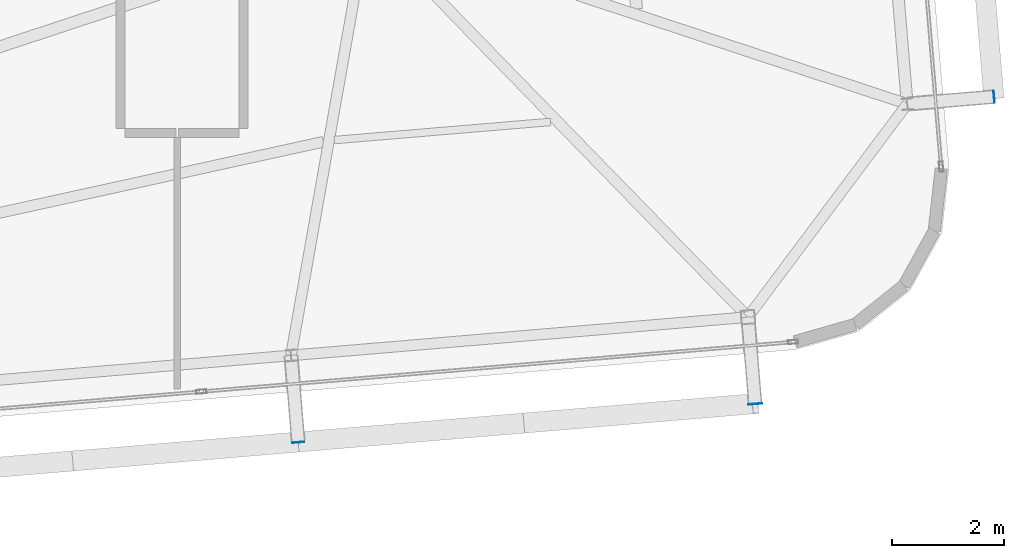
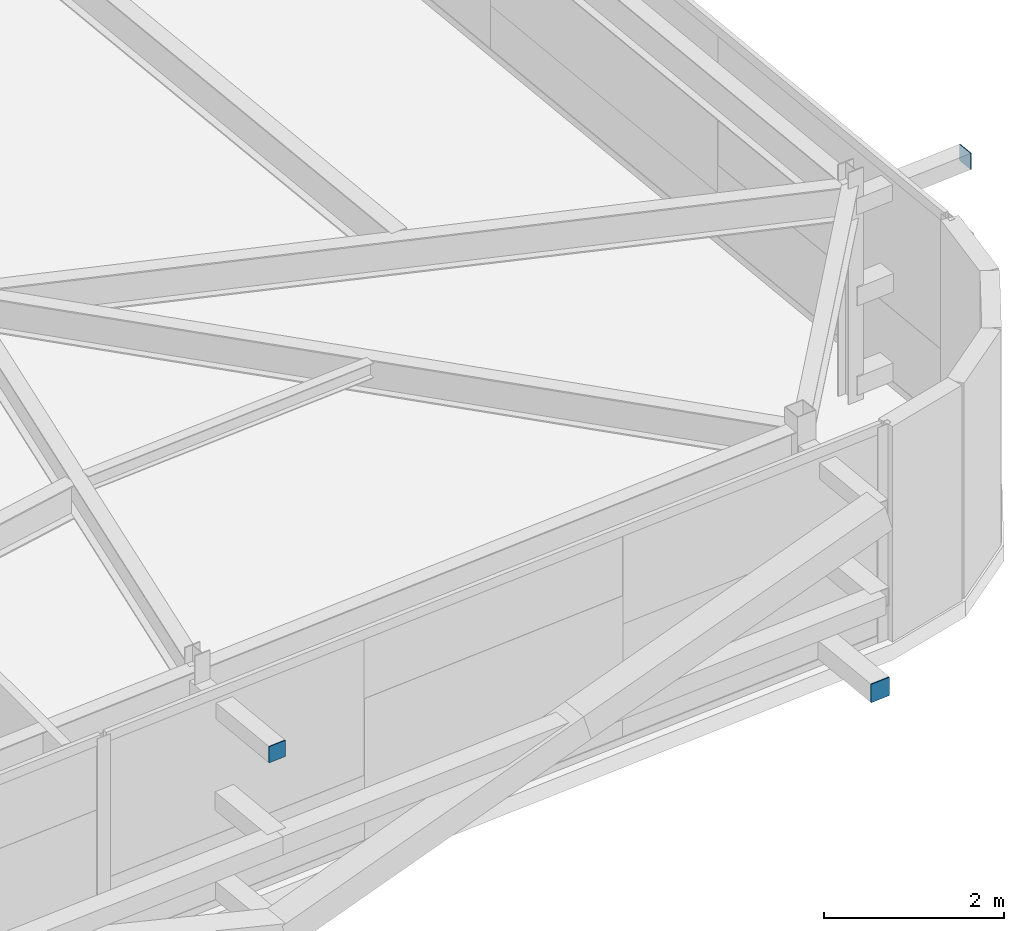
# One storey, part 30 of 39: 3 plates.
"""IFC4 building model written with IfcOpenShell, lengths in metres."""

from ifc_helpers import new_model, si_unit, direction, frame, origin, origin_2d, place, context, subcontext, project, spatial, rectangle, extrude, source, transform, mapped, material, layer, layer_set, type_object, element, save


model = new_model("IFC4")

# Units and contexts
model_context = context("Model", 3, precision=1e-05, world=origin(), true_north=direction((0.0, 1.0)))
body_context = subcontext(model_context, "Body", "Model", "MODEL_VIEW")
ifc_project = project(units=[si_unit("LENGTHUNIT", "METRE"), si_unit("AREAUNIT", "SQUARE_METRE"), si_unit("VOLUMEUNIT", "CUBIC_METRE"), si_unit("PLANEANGLEUNIT", "RADIAN"), si_unit("MASSUNIT", "GRAM", prefix="KILO")], contexts=[model_context])

# Site, building, storey
site_placement = place(None, origin())
site = spatial("IfcSite", under=ifc_project, at=site_placement, CompositionType="ELEMENT")
building_placement = place(site_placement, origin())
building = spatial("IfcBuilding", under=site, at=building_placement, Name="Taldren Reach Tower", CompositionType="ELEMENT")
storey_placement = place(building_placement, frame((0.0, 0.0, 197.75)))
storey = spatial("IfcBuildingStorey", under=building, at=storey_placement, Name="L60", CompositionType="ELEMENT", Elevation=197.75)

# Plates
ifc_material_1 = material(Name="Steel Gr 350 (C350L0)", Category="steel")
ifc_layer_1 = layer(ifc_material_1, 0.011962890625)
ifc_layer_set_1 = layer_set([ifc_layer_1], Name="Steel Gr 350 (C350L0)")
plate_type_1 = type_object("IfcPlateType", Name="PL-CAP-250", PredefinedType="SHEET", material=ifc_layer_set_1)
shared_shape_1 = source(origin(), body_context, "Body", "SweptSolid", [
    extrude(rectangle(XDim=0.25, YDim=0.011962890625, at=origin_2d()), origin(), (0.0, 0.0, 1.0), 0.25),
])
plate_1_placement = place(storey_placement, frame((58.926513671875, 3.9658203125, 0.094970703125), z_axis=(0.0, 0.0, 1.0), x_axis=(0.99649285925, 0.083677843332, 0.0)))
element("IfcPlate", 1, at=plate_1_placement, inside=storey, type_object=plate_type_1, Name="Tie strut end cap plate B4-S6 L60", PredefinedType="SHEET", context=body_context, shape_type="MappedRepresentation", body=[
    mapped(shared_shape_1, transform((0.0, 0.0, 0.0), scale=1.0)),
])
ifc_material_2 = material(Name="Steel Gr 450 (C450L0)", Category="steel")
ifc_layer_2 = layer(ifc_material_2, 0.011962890625)
ifc_layer_set_2 = layer_set([ifc_layer_2], Name="Steel Gr 450 (C450L0)")
plate_type_2 = type_object("IfcPlateType", Name="PL-CAP-220", PredefinedType="SHEET", material=ifc_layer_set_2)
shared_shape_2 = source(origin(), body_context, "Body", "SweptSolid", [
    extrude(rectangle(XDim=0.219970703125, YDim=0.011962890625, at=origin_2d()), origin(), (0.0, 0.0, 1.0), 0.219970703125),
])
plate_2_placement = place(storey_placement, frame((50.775146484375, 3.281494140625, 2.5400390625), z_axis=(0.0, 0.0, 1.0), x_axis=(0.99649285925, 0.083677843332, 0.0)))
element("IfcPlate", 2, at=plate_2_placement, inside=storey, type_object=plate_type_2, Name="Tie strut end cap plate B4-S5 L60", PredefinedType="SHEET", context=body_context, shape_type="MappedRepresentation", body=[
    mapped(shared_shape_2, transform((0.0, 0.0, 0.0), scale=1.0)),
])
shared_shape_3 = source(origin(), body_context, "Body", "SweptSolid", [
    extrude(rectangle(XDim=0.011962890625, YDim=0.219970703125, at=origin_2d()), origin(), (0.0, 0.0, 1.0), 0.219970703125),
])
plate_3_placement = place(storey_placement, frame((63.188720703125, 9.44775390625, 2.5400390625), z_axis=(0.0, 0.0, 1.0), x_axis=(0.99649285925, 0.083677843332, 0.0)))
element("IfcPlate", 3, at=plate_3_placement, inside=storey, type_object=plate_type_2, Name="Tie strut end cap plate B4-E1 L60", PredefinedType="SHEET", context=body_context, shape_type="MappedRepresentation", body=[
    mapped(shared_shape_3, transform((0.0, 0.0, 0.0), scale=1.0)),
])

save(model, "model.ifc")
